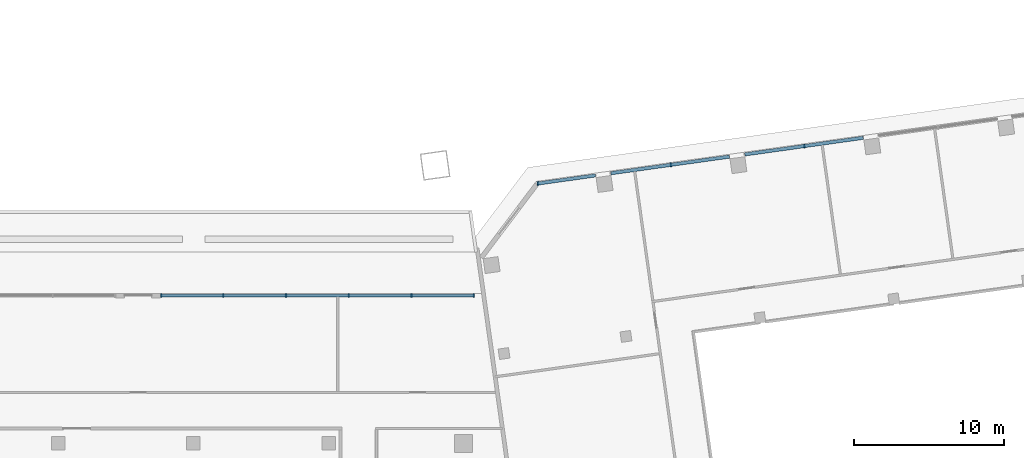
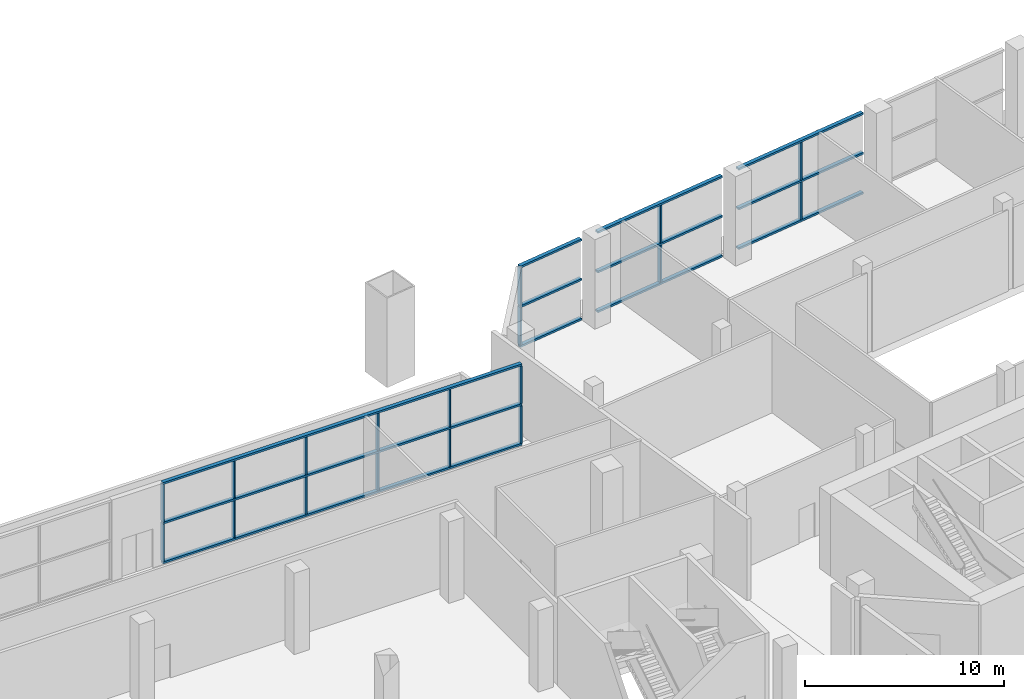
# One storey, part 5 of 23: 30 members, 2 elements without a shape of their own.
"""IFC4 building model written with IfcOpenShell, lengths in metres."""

from ifc_helpers import new_model, si_unit, direction, frame, origin, origin_2d, place, context, subcontext, project, spatial, rectangle, extrude, material, material_profile, profile_set, type_object, element, aggregate, save


model = new_model("IFC4")

# Units and contexts
model_context = context("Model", 3, precision=1e-05, world=origin(), true_north=direction((0.0, 1.0)))
body_context = subcontext(model_context, "Body", "Model", "MODEL_VIEW")
ifc_project = project(units=[si_unit("LENGTHUNIT", "METRE"), si_unit("AREAUNIT", "SQUARE_METRE"), si_unit("VOLUMEUNIT", "CUBIC_METRE"), si_unit("PLANEANGLEUNIT", "RADIAN"), si_unit("MASSUNIT", "GRAM", prefix="KILO")], contexts=[model_context])

# Site, building, storey
site_placement = place(None, origin())
site = spatial("IfcSite", under=ifc_project, at=site_placement, CompositionType="ELEMENT")
building_placement = place(site_placement, origin())
building = spatial("IfcBuilding", under=site, at=building_placement, Name="Mirante Cascada Hotel Towers", CompositionType="ELEMENT")
storey_placement = place(building_placement, frame((0.0, 0.0, 29.0)))
storey = spatial("IfcBuildingStorey", under=building, at=storey_placement, Name="L04", CompositionType="ELEMENT", Elevation=29.0)

# Curtain wall, members
ifc_material_1 = material(Name="Aluminium mullion and transom frame with clear laminated glass", Category="aluminium")
curtain_wall_type = type_object("IfcCurtainWallType", Name="Podium curtain wall ECW3", PredefinedType="NOTDEFINED", material=ifc_material_1)
curtain_wall_1_placement = place(storey_placement, origin())
curtain_wall_1 = element("IfcCurtainWall", 1, at=curtain_wall_1_placement, inside=storey, type_object=curtain_wall_type, Name="Front podium glazing T2 L04", PredefinedType="NOTDEFINED")
ifc_material_2 = material(Name="Anodised aluminium extrusion", Category="aluminium")
ifc_material_profile_1 = material_profile(ifc_material_2, rectangle(XDim=0.26, YDim=0.08, at=origin_2d()), Name="ECW3 MULLION 80x260")
ifc_profile_set_1 = profile_set([ifc_material_profile_1], Name="Anodised aluminium extrusion")
member_type_1 = type_object("IfcMemberType", Name="ECW3 mullion 80x260", PredefinedType="MULLION", material=ifc_profile_set_1)
member_1_placement = place(storey_placement, frame((49.684, 19.8017, 0.12), z_axis=(0.0, 0.0, 1.0), x_axis=(0.1391731, -0.9902681, 0.0)))
member_1 = element("IfcMember", 2, at=member_1_placement, type_object=member_type_1, Name="ECW3 mullion 11", PredefinedType="MULLION", context=body_context, shape_type="SweptSolid", body=[
    extrude(rectangle(XDim=0.26, YDim=0.08, at=origin_2d()), origin(), (0.0, 0.0, 1.0), 2.32),
])
member_2_placement = place(storey_placement, frame((49.684, 19.8017, 2.56), z_axis=(0.0, 0.0, 1.0), x_axis=(0.1391731, -0.9902681, 0.0)))
member_2 = element("IfcMember", 3, at=member_2_placement, type_object=member_type_1, Name="ECW3 mullion 11", PredefinedType="MULLION", context=body_context, shape_type="SweptSolid", body=[
    extrude(rectangle(XDim=0.26, YDim=0.08, at=origin_2d()), origin(), (0.0, 0.0, 1.0), 2.32),
])
member_3_placement = place(storey_placement, frame((40.7892, 18.5516, 0.12), z_axis=(0.0, 0.0, 1.0), x_axis=(0.1391731, -0.9902681, 0.0)))
member_3 = element("IfcMember", 4, at=member_3_placement, type_object=member_type_1, Name="ECW3 mullion 13", PredefinedType="MULLION", context=body_context, shape_type="SweptSolid", body=[
    extrude(rectangle(XDim=0.26, YDim=0.08, at=origin_2d()), origin(), (0.0, 0.0, 1.0), 2.32),
])
member_4_placement = place(storey_placement, frame((40.7892, 18.5516, 2.56), z_axis=(0.0, 0.0, 1.0), x_axis=(0.1391731, -0.9902681, 0.0)))
member_4 = element("IfcMember", 5, at=member_4_placement, type_object=member_type_1, Name="ECW3 mullion 13", PredefinedType="MULLION", context=body_context, shape_type="SweptSolid", body=[
    extrude(rectangle(XDim=0.26, YDim=0.08, at=origin_2d()), origin(), (0.0, 0.0, 1.0), 2.32),
])
member_5_placement = place(storey_placement, frame((31.9339, 17.307, 0.12), z_axis=(0.0, 0.0, 1.0), x_axis=(0.1391731, -0.9902681, 0.0)))
member_5 = element("IfcMember", 6, at=member_5_placement, type_object=member_type_1, Name="ECW3 mullion 15", PredefinedType="MULLION", context=body_context, shape_type="SweptSolid", body=[
    extrude(rectangle(XDim=0.26, YDim=0.08, at=origin_2d()), origin(), (0.0, 0.0, 1.0), 2.32),
])
member_6_placement = place(storey_placement, frame((31.9339, 17.307, 2.56), z_axis=(0.0, 0.0, 1.0), x_axis=(0.1391731, -0.9902681, 0.0)))
member_6 = element("IfcMember", 7, at=member_6_placement, type_object=member_type_1, Name="ECW3 mullion 15", PredefinedType="MULLION", context=body_context, shape_type="SweptSolid", body=[
    extrude(rectangle(XDim=0.26, YDim=0.08, at=origin_2d()), origin(), (0.0, 0.0, 1.0), 2.32),
])

curtain_wall_2_placement = place(storey_placement, origin())
curtain_wall_2 = element("IfcCurtainWall", 8, at=curtain_wall_2_placement, inside=storey, type_object=curtain_wall_type, Name="Podium curtain wall L04 run 3.1", PredefinedType="NOTDEFINED")
member_7_placement = place(storey_placement, frame((27.6676, 9.85, 0.12), z_axis=(0.0, 0.0, 1.0), x_axis=(0.0, -1.0, 0.0)))
member_7 = element("IfcMember", 9, at=member_7_placement, type_object=member_type_1, Name="ECW3 mullion 1", PredefinedType="MULLION", context=body_context, shape_type="SweptSolid", body=[
    extrude(rectangle(XDim=0.26, YDim=0.08, at=origin_2d()), origin(), (0.0, 0.0, 1.0), 2.32),
])
member_8_placement = place(storey_placement, frame((27.6676, 9.85, 2.56), z_axis=(0.0, 0.0, 1.0), x_axis=(0.0, -1.0, 0.0)))
member_8 = element("IfcMember", 10, at=member_8_placement, type_object=member_type_1, Name="ECW3 mullion 1", PredefinedType="MULLION", context=body_context, shape_type="SweptSolid", body=[
    extrude(rectangle(XDim=0.26, YDim=0.08, at=origin_2d()), origin(), (0.0, 0.0, 1.0), 2.32),
])
member_9_placement = place(storey_placement, frame((23.5295, 9.85, 0.12), z_axis=(0.0, 0.0, 1.0), x_axis=(0.0, -1.0, 0.0)))
member_9 = element("IfcMember", 11, at=member_9_placement, type_object=member_type_1, Name="ECW3 mullion 2", PredefinedType="MULLION", context=body_context, shape_type="SweptSolid", body=[
    extrude(rectangle(XDim=0.26, YDim=0.08, at=origin_2d()), origin(), (0.0, 0.0, 1.0), 2.32),
])
member_10_placement = place(storey_placement, frame((23.5295, 9.85, 2.56), z_axis=(0.0, 0.0, 1.0), x_axis=(0.0, -1.0, 0.0)))
member_10 = element("IfcMember", 12, at=member_10_placement, type_object=member_type_1, Name="ECW3 mullion 2", PredefinedType="MULLION", context=body_context, shape_type="SweptSolid", body=[
    extrude(rectangle(XDim=0.26, YDim=0.08, at=origin_2d()), origin(), (0.0, 0.0, 1.0), 2.32),
])
member_11_placement = place(storey_placement, frame((19.3514, 9.85, 0.12), z_axis=(0.0, 0.0, 1.0), x_axis=(0.0, -1.0, 0.0)))
member_11 = element("IfcMember", 13, at=member_11_placement, type_object=member_type_1, Name="ECW3 mullion 3", PredefinedType="MULLION", context=body_context, shape_type="SweptSolid", body=[
    extrude(rectangle(XDim=0.26, YDim=0.08, at=origin_2d()), origin(), (0.0, 0.0, 1.0), 2.32),
])
member_12_placement = place(storey_placement, frame((19.3514, 9.85, 2.56), z_axis=(0.0, 0.0, 1.0), x_axis=(0.0, -1.0, 0.0)))
member_12 = element("IfcMember", 14, at=member_12_placement, type_object=member_type_1, Name="ECW3 mullion 3", PredefinedType="MULLION", context=body_context, shape_type="SweptSolid", body=[
    extrude(rectangle(XDim=0.26, YDim=0.08, at=origin_2d()), origin(), (0.0, 0.0, 1.0), 2.32),
])
member_13_placement = place(storey_placement, frame((15.1732, 9.85, 0.12), z_axis=(0.0, 0.0, 1.0), x_axis=(0.0, -1.0, 0.0)))
member_13 = element("IfcMember", 15, at=member_13_placement, type_object=member_type_1, Name="ECW3 mullion 4", PredefinedType="MULLION", context=body_context, shape_type="SweptSolid", body=[
    extrude(rectangle(XDim=0.26, YDim=0.08, at=origin_2d()), origin(), (0.0, 0.0, 1.0), 2.32),
])
member_14_placement = place(storey_placement, frame((15.1732, 9.85, 2.56), z_axis=(0.0, 0.0, 1.0), x_axis=(0.0, -1.0, 0.0)))
member_14 = element("IfcMember", 16, at=member_14_placement, type_object=member_type_1, Name="ECW3 mullion 4", PredefinedType="MULLION", context=body_context, shape_type="SweptSolid", body=[
    extrude(rectangle(XDim=0.26, YDim=0.08, at=origin_2d()), origin(), (0.0, 0.0, 1.0), 2.32),
])
member_15_placement = place(storey_placement, frame((10.9951, 9.85, 0.12), z_axis=(0.0, 0.0, 1.0), x_axis=(0.0, -1.0, 0.0)))
member_15 = element("IfcMember", 17, at=member_15_placement, type_object=member_type_1, Name="ECW3 mullion 5", PredefinedType="MULLION", context=body_context, shape_type="SweptSolid", body=[
    extrude(rectangle(XDim=0.26, YDim=0.08, at=origin_2d()), origin(), (0.0, 0.0, 1.0), 2.32),
])
member_16_placement = place(storey_placement, frame((10.9951, 9.85, 2.56), z_axis=(0.0, 0.0, 1.0), x_axis=(0.0, -1.0, 0.0)))
member_16 = element("IfcMember", 18, at=member_16_placement, type_object=member_type_1, Name="ECW3 mullion 5", PredefinedType="MULLION", context=body_context, shape_type="SweptSolid", body=[
    extrude(rectangle(XDim=0.26, YDim=0.08, at=origin_2d()), origin(), (0.0, 0.0, 1.0), 2.32),
])
member_17_placement = place(storey_placement, frame((6.857, 9.85, 0.12), z_axis=(0.0, 0.0, 1.0), x_axis=(0.0, -1.0, 0.0)))
member_17 = element("IfcMember", 19, at=member_17_placement, type_object=member_type_1, Name="ECW3 mullion 6", PredefinedType="MULLION", context=body_context, shape_type="SweptSolid", body=[
    extrude(rectangle(XDim=0.26, YDim=0.08, at=origin_2d()), origin(), (0.0, 0.0, 1.0), 2.32),
])
member_18_placement = place(storey_placement, frame((6.857, 9.85, 2.56), z_axis=(0.0, 0.0, 1.0), x_axis=(0.0, -1.0, 0.0)))
member_18 = element("IfcMember", 20, at=member_18_placement, type_object=member_type_1, Name="ECW3 mullion 6", PredefinedType="MULLION", context=body_context, shape_type="SweptSolid", body=[
    extrude(rectangle(XDim=0.26, YDim=0.08, at=origin_2d()), origin(), (0.0, 0.0, 1.0), 2.32),
])

# Member
ifc_material_3 = material(Name="Anodised aluminium extrusion", Category="aluminium")
ifc_material_profile_2 = material_profile(ifc_material_3, rectangle(XDim=0.22, YDim=0.12, at=origin_2d()), Name="ECW3 TRANSOM 120x220")
ifc_profile_set_2 = profile_set([ifc_material_profile_2], Name="Anodised aluminium extrusion")
member_type_2 = type_object("IfcMemberType", Name="ECW3 transom 120x220", PredefinedType="USERDEFINED", material=ifc_profile_set_2)
member_19_placement = place(storey_placement, frame((53.5989, 20.3519, 0.06), z_axis=(-0.9902666, -0.1391838, 0.0), x_axis=(0.1391838, -0.9902666, 0.0)))
member_19 = element("IfcMember", 21, at=member_19_placement, type_object=member_type_2, Name="ECW3 sill transom", ObjectType="TRANSOM", PredefinedType="USERDEFINED", context=body_context, shape_type="SweptSolid", body=[
    extrude(rectangle(XDim=0.22, YDim=0.12, at=origin_2d()), origin(), (0.0, 0.0, 1.0), 7.96),
])

member_20_placement = place(storey_placement, frame((44.6865, 19.0993, 0.06), z_axis=(-0.9902685, -0.1391698, 0.0), x_axis=(0.1391698, -0.9902685, 0.0)))
member_20 = element("IfcMember", 22, at=member_20_placement, type_object=member_type_2, Name="ECW3 sill transom", ObjectType="TRANSOM", PredefinedType="USERDEFINED", context=body_context, shape_type="SweptSolid", body=[
    extrude(rectangle(XDim=0.22, YDim=0.12, at=origin_2d()), origin(), (0.0, 0.0, 1.0), 7.9601),
])

member_21_placement = place(storey_placement, frame((35.7741, 17.8467, 0.06), z_axis=(-0.9902705, -0.1391555, 0.0), x_axis=(0.1391555, -0.9902705, 0.0)))
member_21 = element("IfcMember", 23, at=member_21_placement, type_object=member_type_2, Name="ECW3 sill transom", ObjectType="TRANSOM", PredefinedType="USERDEFINED", context=body_context, shape_type="SweptSolid", body=[
    extrude(rectangle(XDim=0.22, YDim=0.12, at=origin_2d()), origin(), (0.0, 0.0, 1.0), 3.9179),
])

member_22_placement = place(storey_placement, frame((53.5989, 20.3519, 2.5), z_axis=(-0.9902666, -0.1391838, 0.0), x_axis=(0.1391838, -0.9902666, 0.0)))
member_22 = element("IfcMember", 24, at=member_22_placement, type_object=member_type_2, Name="ECW3 intermediate transom", ObjectType="TRANSOM", PredefinedType="USERDEFINED", context=body_context, shape_type="SweptSolid", body=[
    extrude(rectangle(XDim=0.22, YDim=0.12, at=origin_2d()), origin(), (0.0, 0.0, 1.0), 7.96),
])

member_23_placement = place(storey_placement, frame((44.6865, 19.0993, 2.5), z_axis=(-0.9902685, -0.1391698, 0.0), x_axis=(0.1391698, -0.9902685, 0.0)))
member_23 = element("IfcMember", 25, at=member_23_placement, type_object=member_type_2, Name="ECW3 intermediate transom", ObjectType="TRANSOM", PredefinedType="USERDEFINED", context=body_context, shape_type="SweptSolid", body=[
    extrude(rectangle(XDim=0.22, YDim=0.12, at=origin_2d()), origin(), (0.0, 0.0, 1.0), 7.9601),
])

member_24_placement = place(storey_placement, frame((35.7741, 17.8467, 2.5), z_axis=(-0.9902705, -0.1391555, 0.0), x_axis=(0.1391555, -0.9902705, 0.0)))
member_24 = element("IfcMember", 26, at=member_24_placement, type_object=member_type_2, Name="ECW3 intermediate transom", ObjectType="TRANSOM", PredefinedType="USERDEFINED", context=body_context, shape_type="SweptSolid", body=[
    extrude(rectangle(XDim=0.22, YDim=0.12, at=origin_2d()), origin(), (0.0, 0.0, 1.0), 3.9179),
])

member_25_placement = place(storey_placement, frame((53.5989, 20.3519, 4.94), z_axis=(-0.9902666, -0.1391838, 0.0), x_axis=(0.1391838, -0.9902666, 0.0)))
member_25 = element("IfcMember", 27, at=member_25_placement, type_object=member_type_2, Name="ECW3 head transom", ObjectType="TRANSOM", PredefinedType="USERDEFINED", context=body_context, shape_type="SweptSolid", body=[
    extrude(rectangle(XDim=0.22, YDim=0.12, at=origin_2d()), origin(), (0.0, 0.0, 1.0), 7.96),
])

member_26_placement = place(storey_placement, frame((44.6865, 19.0993, 4.94), z_axis=(-0.9902685, -0.1391698, 0.0), x_axis=(0.1391698, -0.9902685, 0.0)))
member_26 = element("IfcMember", 28, at=member_26_placement, type_object=member_type_2, Name="ECW3 head transom", ObjectType="TRANSOM", PredefinedType="USERDEFINED", context=body_context, shape_type="SweptSolid", body=[
    extrude(rectangle(XDim=0.22, YDim=0.12, at=origin_2d()), origin(), (0.0, 0.0, 1.0), 7.9601),
])

member_27_placement = place(storey_placement, frame((35.7741, 17.8467, 4.94), z_axis=(-0.9902705, -0.1391555, 0.0), x_axis=(0.1391555, -0.9902705, 0.0)))
member_27 = element("IfcMember", 29, at=member_27_placement, type_object=member_type_2, Name="ECW3 head transom", ObjectType="TRANSOM", PredefinedType="USERDEFINED", context=body_context, shape_type="SweptSolid", body=[
    extrude(rectangle(XDim=0.22, YDim=0.12, at=origin_2d()), origin(), (0.0, 0.0, 1.0), 3.9179),
])

aggregate(curtain_wall_1, [member_19, member_20, member_21, member_22, member_23, member_24, member_25, member_26, member_27, member_1, member_2, member_3, member_4, member_5, member_6])

member_28_placement = place(storey_placement, frame((27.7076, 9.85, 0.06), z_axis=(-1.0, 0.0, 0.0), x_axis=(0.0, -1.0, 0.0)))
member_28 = element("IfcMember", 30, at=member_28_placement, type_object=member_type_2, Name="ECW3 sill transom", ObjectType="TRANSOM", PredefinedType="USERDEFINED", context=body_context, shape_type="SweptSolid", body=[
    extrude(rectangle(XDim=0.22, YDim=0.12, at=origin_2d()), origin(), (0.0, 0.0, 1.0), 20.8906),
])

member_29_placement = place(storey_placement, frame((27.7076, 9.85, 2.5), z_axis=(-1.0, 0.0, 0.0), x_axis=(0.0, -1.0, 0.0)))
member_29 = element("IfcMember", 31, at=member_29_placement, type_object=member_type_2, Name="ECW3 intermediate transom", ObjectType="TRANSOM", PredefinedType="USERDEFINED", context=body_context, shape_type="SweptSolid", body=[
    extrude(rectangle(XDim=0.22, YDim=0.12, at=origin_2d()), origin(), (0.0, 0.0, 1.0), 20.8906),
])

member_30_placement = place(storey_placement, frame((27.7076, 9.85, 4.94), z_axis=(-1.0, 0.0, 0.0), x_axis=(0.0, -1.0, 0.0)))
member_30 = element("IfcMember", 32, at=member_30_placement, type_object=member_type_2, Name="ECW3 head transom", ObjectType="TRANSOM", PredefinedType="USERDEFINED", context=body_context, shape_type="SweptSolid", body=[
    extrude(rectangle(XDim=0.22, YDim=0.12, at=origin_2d()), origin(), (0.0, 0.0, 1.0), 20.8906),
])

aggregate(curtain_wall_2, [member_28, member_29, member_30, member_7, member_8, member_9, member_10, member_11, member_12, member_13, member_14, member_15, member_16, member_17, member_18])

save(model, "model.ifc")
